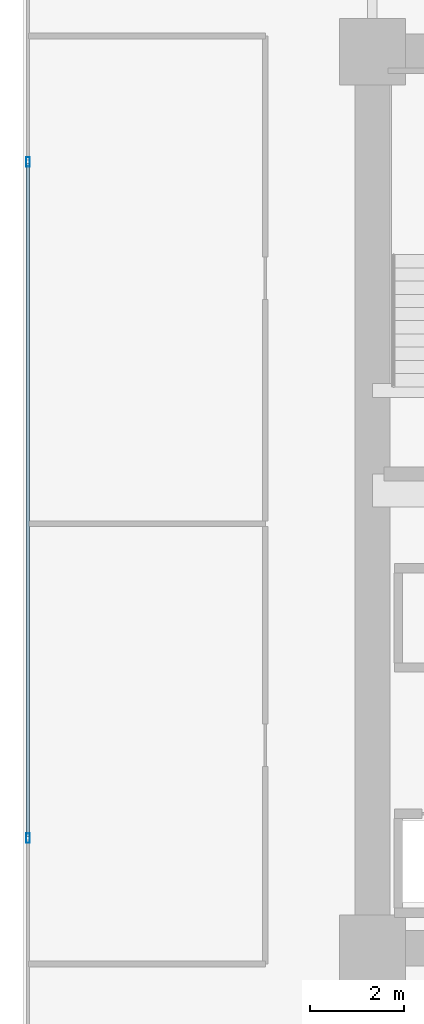
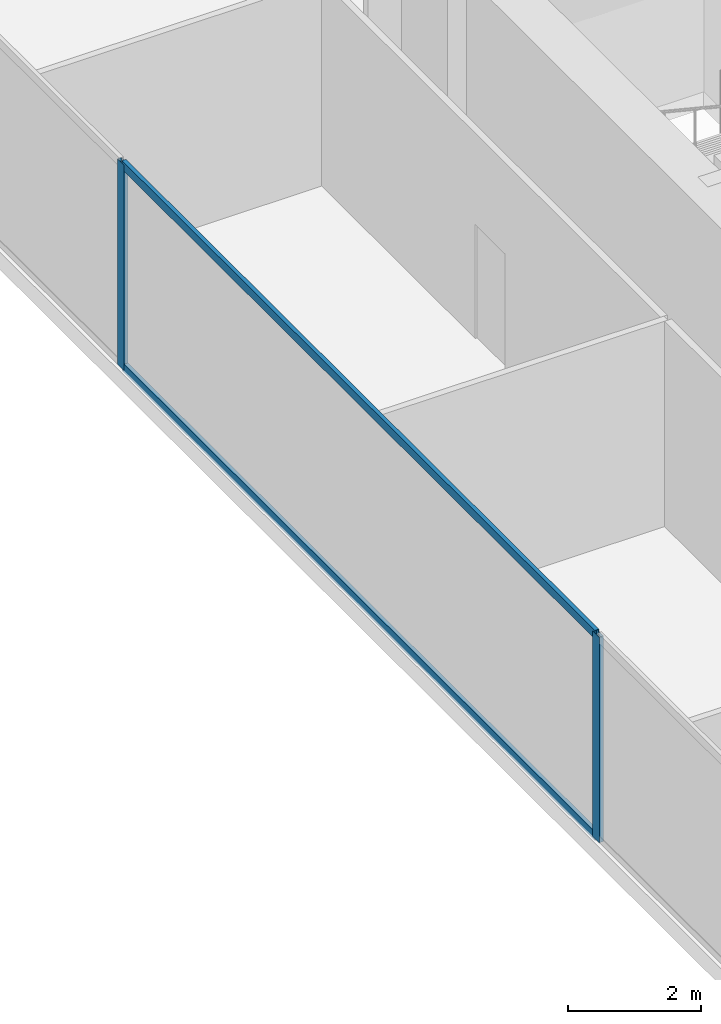
# One storey, part 6 of 35: 4 members, 1 element without a shape of its own.
"""IFC4 building model written with IfcOpenShell, lengths in metres."""

import ifcopenshell
import ifcopenshell.guid

model = None  # the IFC model being written
_history = None  # IfcOwnerHistory: only IFC2X3 demands one
_inside = {}  # id of a spatial element -> (the spatial element, [elements in it])
_under = {}  # id of a project, library or spatial element -> (it, [spatial elements below it])
_declared = {}  # id of a project -> (the project, [libraries it declares])
_typed = {}  # id of a type object -> (the type object, [elements of that type])
_made_of = {}  # id of a material, layer set ... -> (it, [elements and type objects made of it])


def new_model(schema):
    """Start an empty IFC model of exactly this schema.

    Asked for "IFC4X3", IfcOpenShell would pick the latest addendum, in which some entities
    have other attributes; the version numbers below select the first issue.
    IFC2X3 requires an IfcOwnerHistory on every rooted entity: one is made here for all.
    """
    global model, _history
    if schema == "IFC4X3":
        model = ifcopenshell.file(schema_version=(4, 3, 0, 0))
    else:
        model = ifcopenshell.file(schema=schema)
    _inside.clear()
    _under.clear()
    _declared.clear()
    _typed.clear()
    _made_of.clear()
    _history = None
    if model.schema == "IFC2X3":
        org = make("IfcOrganization", Name="unknown")
        user = make(
            "IfcPersonAndOrganization",
            ThePerson=make("IfcPerson", FamilyName="unknown"),
            TheOrganization=org,
        )
        app = make(
            "IfcApplication",
            ApplicationDeveloper=org,
            Version="unknown",
            ApplicationFullName="unknown",
            ApplicationIdentifier="unknown",
        )
        _history = make(
            "IfcOwnerHistory",
            OwningUser=user,
            OwningApplication=app,
            ChangeAction="ADDED",
            CreationDate=0,
        )
    return model


def make(cls, **values):
    """One entity of the class cls with the attributes given. An attribute that is None is left unset."""
    return model.create_entity(
        cls, **{name: value for name, value in values.items() if value is not None}
    )


def rooted(cls, **values):
    """An entity with a GlobalId (a new one), such as an element, a storey or a relation."""
    return make(cls, GlobalId=ifcopenshell.guid.new(), OwnerHistory=_history, **values)


def si_unit(unit_type, name, prefix=None):
    """IfcSIUnit, for example si_unit("LENGTHUNIT", "METRE", prefix="MILLI")."""
    return make("IfcSIUnit", UnitType=unit_type, Prefix=prefix, Name=name)


def assignment(units):
    """IfcUnitAssignment: the units of a project."""
    return None if units is None else make("IfcUnitAssignment", Units=units)


def point(xyz):
    """IfcCartesianPoint."""
    return None if xyz is None else make("IfcCartesianPoint", Coordinates=xyz)


def direction(xyz):
    """IfcDirection."""
    return None if xyz is None else make("IfcDirection", DirectionRatios=xyz)


def frame(location, z_axis=None, x_axis=None):
    """IfcAxis2Placement3D, a coordinate frame: its origin and axes. An axis left out is left unset."""
    return make(
        "IfcAxis2Placement3D",
        Location=point(location),
        Axis=direction(z_axis),
        RefDirection=direction(x_axis),
    )


def frame_2d(location, x_axis=None):
    """IfcAxis2Placement2D, a coordinate frame in the plane: its origin and x axis."""
    return make(
        "IfcAxis2Placement2D", Location=point(location), RefDirection=direction(x_axis)
    )


def origin():
    """The frame at (0, 0, 0) with its axes left unset."""
    return frame((0.0, 0.0, 0.0))


def origin_2d():
    """The frame at (0, 0) in the plane with its x axis left unset."""
    return frame_2d((0.0, 0.0))


def place(relative_to, where):
    """IfcLocalPlacement: puts the frame where relative to a parent placement (None: the world)."""
    return make(
        "IfcLocalPlacement", PlacementRelTo=relative_to, RelativePlacement=where
    )


def context(
    kind, dimensions, precision=None, world=None, true_north=None, identifier=None
):
    """IfcGeometricRepresentationContext, for example the 3D "Model" context."""
    return make(
        "IfcGeometricRepresentationContext",
        ContextIdentifier=identifier,
        ContextType=kind,
        CoordinateSpaceDimension=dimensions,
        Precision=precision,
        WorldCoordinateSystem=world,
        TrueNorth=true_north,
    )


def subcontext(parent, identifier, kind, view, scale=None):
    """IfcGeometricRepresentationSubContext, for example "Body" below "Model"."""
    return make(
        "IfcGeometricRepresentationSubContext",
        ContextIdentifier=identifier,
        ContextType=kind,
        ParentContext=parent,
        TargetScale=scale,
        TargetView=view,
    )


def project(units=None, contexts=None):
    """IfcProject with its units and contexts."""
    return rooted(
        "IfcProject",
        Name="project",
        RepresentationContexts=contexts,
        UnitsInContext=assignment(units),
    )


def spatial(cls, under=None, at=None, **own):
    """A site, building, storey or space (cls), placed at a placement, below another one or the project."""
    s = rooted(cls, ObjectPlacement=at, **own)
    if under is not None:
        _under.setdefault(under.id(), (under, []))[1].append(s)
    return s


def profile(cls, at=None, kind="AREA", **sizes):
    """A parametric profile (cls). Its sizes go by their IFC names, for example OverallWidth=200.0."""
    return make(cls, ProfileType=kind, Position=at, **sizes)


def hollow_rectangle(**sizes):
    """IfcRectangleHollowProfileDef."""
    return profile("IfcRectangleHollowProfileDef", **sizes)


def extrude(swept, where, along, depth):
    """IfcExtrudedAreaSolid: the profile swept, set in the frame where, extruded along a direction by depth."""
    return make(
        "IfcExtrudedAreaSolid",
        SweptArea=swept,
        Position=where,
        ExtrudedDirection=direction(along),
        Depth=depth,
    )


def shape(context_of_items, identifier, shape_type, items):
    """IfcShapeRepresentation: the items that make up one representation, for example the "Body"."""
    return make(
        "IfcShapeRepresentation",
        ContextOfItems=context_of_items,
        RepresentationIdentifier=identifier,
        RepresentationType=shape_type,
        Items=items,
    )


def source(mapping_origin, context_of_items, identifier, shape_type, items):
    """IfcRepresentationMap: a shape defined once, which mapped items show again and again."""
    return make(
        "IfcRepresentationMap",
        MappingOrigin=mapping_origin,
        MappedRepresentation=shape(context_of_items, identifier, shape_type, items),
    )


def transform(
    local_origin,
    x_axis=None,
    y_axis=None,
    z_axis=None,
    scale=None,
    scale2=None,
    scale3=None,
    uniform=True,
):
    """IfcCartesianTransformationOperator3D, or its non-uniform kind. x_axis, y_axis, z_axis: its Axis1, 2, 3."""
    if uniform:
        return make(
            "IfcCartesianTransformationOperator3D",
            Axis1=direction(x_axis),
            Axis2=direction(y_axis),
            LocalOrigin=point(local_origin),
            Scale=scale,
            Axis3=direction(z_axis),
        )
    return make(
        "IfcCartesianTransformationOperator3DnonUniform",
        Axis1=direction(x_axis),
        Axis2=direction(y_axis),
        LocalOrigin=point(local_origin),
        Scale=scale,
        Axis3=direction(z_axis),
        Scale2=scale2,
        Scale3=scale3,
    )


def mapped(mapping_source, mapping_target):
    """IfcMappedItem: shows the shape of a source again, moved by a transform."""
    return make(
        "IfcMappedItem", MappingSource=mapping_source, MappingTarget=mapping_target
    )


def material(Name=None, Category=None):
    """IfcMaterial."""
    return make("IfcMaterial", Name=Name, Category=Category)


def layer(
    of_material, thickness, ventilated=None, Name=None, Category=None, Priority=None
):
    """IfcMaterialLayer: one layer of a wall or slab, of a material (None: an air gap)."""
    return make(
        "IfcMaterialLayer",
        Material=of_material,
        LayerThickness=thickness,
        IsVentilated=ventilated,
        Name=Name,
        Category=Category,
        Priority=Priority,
    )


def layer_set(layers, Name=None):
    """IfcMaterialLayerSet."""
    return make("IfcMaterialLayerSet", MaterialLayers=layers, LayerSetName=Name)


def material_profile(
    of_material, cross_section, Name=None, Category=None, Priority=None
):
    """IfcMaterialProfile: a cross section and its material."""
    return make(
        "IfcMaterialProfile",
        Name=Name,
        Material=of_material,
        Profile=cross_section,
        Priority=Priority,
        Category=Category,
    )


def profile_set(profiles, Name=None, composite=None):
    """IfcMaterialProfileSet."""
    return make(
        "IfcMaterialProfileSet",
        Name=Name,
        MaterialProfiles=profiles,
        CompositeProfile=composite,
    )


def made_of(thing, what):
    """Note that an element or type object is made of a material, layer set ...; save() writes the relation."""
    if what is not None:
        _made_of.setdefault(what.id(), (what, []))[1].append(thing)
    return thing


def type_object(cls, material=None, **own):
    """A type object (cls), such as IfcWallType, which elements share."""
    return made_of(rooted(cls, **own), material)


def type_shapes(of_type, sources):
    """Give a type object the sources (RepresentationMaps) that its elements show as mapped items."""
    of_type.RepresentationMaps = sources


def element(
    cls,
    number,
    at=None,
    inside=None,
    cuts=None,
    type_object=None,
    material=None,
    context=None,
    identifier="Body",
    shape_type=None,
    held_by="IfcProductDefinitionShape",
    body=None,
    shapes=None,
    **own,
):
    """One element of the class cls, such as IfcWall. Its Tag is "e" and its number.

    at: its placement. inside: the storey or other place that contains it. cuts: it is an
    opening in that element (IfcRelVoidsElement). A single representation is given by context,
    identifier, shape_type and body (its items); several are given by shapes. held_by: the class
    of the entity that holds the representations. save() writes the other relations.
    """
    e = rooted(cls, Tag="e%d" % number, ObjectPlacement=at, **own)
    if body is not None:
        shapes = [shape(context, identifier, shape_type, body)]
    if shapes is not None:
        e.Representation = make(held_by, Representations=shapes)
    if inside is not None:
        _inside.setdefault(inside.id(), (inside, []))[1].append(e)
    if cuts is not None:
        rooted(
            "IfcRelVoidsElement", RelatingBuildingElement=cuts, RelatedOpeningElement=e
        )
    if type_object is not None:
        _typed.setdefault(type_object.id(), (type_object, []))[1].append(e)
    return made_of(e, material)


def aggregate(whole, parts):
    """IfcRelAggregates: a whole, such as a stair, and the parts it consists of."""
    return rooted("IfcRelAggregates", RelatingObject=whole, RelatedObjects=parts)


def save(model, path):
    """Write the relations noted so far, then the file.

    IfcRelAggregates (storeys below a building ...), IfcRelContainedInSpatialStructure (elements
    in a storey), IfcRelDefinesByType, IfcRelAssociatesMaterial and IfcRelDeclares: one each for
    every whole, place, type object, material and project.
    """
    for whole, parts in _under.values():
        aggregate(whole, parts)
    for where, things in _inside.values():
        rooted(
            "IfcRelContainedInSpatialStructure",
            RelatedElements=things,
            RelatingStructure=where,
        )
    for kind, things in _typed.values():
        rooted("IfcRelDefinesByType", RelatedObjects=things, RelatingType=kind)
    for what, things in _made_of.values():
        rooted("IfcRelAssociatesMaterial", RelatedObjects=things, RelatingMaterial=what)
    for by, libraries in _declared.values():
        rooted("IfcRelDeclares", RelatingContext=by, RelatedDefinitions=libraries)
    model.write(path)


model = new_model("IFC4")

# Units and contexts
model_context = context("Model", 3, precision=1e-05, world=origin(), true_north=direction((0.0, 1.0)))
body_context = subcontext(model_context, "Body", "Model", "MODEL_VIEW")
ifc_project = project(units=[si_unit("LENGTHUNIT", "METRE"), si_unit("AREAUNIT", "SQUARE_METRE"), si_unit("VOLUMEUNIT", "CUBIC_METRE"), si_unit("PLANEANGLEUNIT", "RADIAN"), si_unit("MASSUNIT", "GRAM", prefix="KILO")], contexts=[model_context])

# Site, building, storey
site_placement = place(None, origin())
site = spatial("IfcSite", under=ifc_project, at=site_placement, CompositionType="ELEMENT")
building_placement = place(site_placement, origin())
building = spatial("IfcBuilding", under=site, at=building_placement, Name="Haelvirn Gate Laboratories", CompositionType="ELEMENT")
storey_placement = place(building_placement, frame((0.0, 0.0, 82.60009765625)))
storey = spatial("IfcBuildingStorey", under=building, at=storey_placement, Name="L20", CompositionType="ELEMENT", Elevation=82.60009765625)

# Curtain wall, members
ifc_material_1 = material(Name="Anodised bronze unitised aluminium & triple low-E glass", Category="aluminium")
ifc_layer = layer(ifc_material_1, 0.18408203125, Name="CW-SYS-2")
ifc_layer_set = layer_set([ifc_layer], Name="Anodised bronze unitised aluminium & triple low-E glass")
curtain_wall_type = type_object("IfcCurtainWallType", Name="CW-SYS-2", PredefinedType="NOTDEFINED", material=ifc_layer_set)
curtain_wall_placement = place(storey_placement, origin())
curtain_wall = element("IfcCurtainWall", 1, at=curtain_wall_placement, inside=storey, type_object=curtain_wall_type, Name="L20 Unitised Curtain Wall CW-L20-P0-E17", PredefinedType="NOTDEFINED")
ifc_material_2 = material(Name="Extruded aluminium 6063-T6 (anodised bronze)", Category="aluminium")
ifc_material_profile_1 = material_profile(ifc_material_2, hollow_rectangle(XDim=0.070068359375, YDim=0.159912109375, WallThickness=0.0048828125, at=origin_2d()), Name="CWT-160x70x5")
ifc_profile_set_1 = profile_set([ifc_material_profile_1], Name="Extruded aluminium 6063-T6 (anodised bronze)")
member_type_1 = type_object("IfcMemberType", Name="CWT-T160", PredefinedType="USERDEFINED", material=ifc_profile_set_1)
shared_shape_1 = source(origin(), body_context, "Body", "SweptSolid", [
    extrude(hollow_rectangle(XDim=0.070068359375, YDim=0.159912109375, WallThickness=0.0048828125, at=origin_2d()), origin(), (0.0, 0.0, 1.0), 14.25830078125),
])
type_shapes(member_type_1, [shared_shape_1])
member_1_placement = place(storey_placement, frame((0.10009765625, 31.42919921875, 0.034912109375), z_axis=(0.0, -1.0, 0.0), x_axis=(1.0, 0.0, 0.0)))
member_1 = element("IfcMember", 2, at=member_1_placement, type_object=member_type_1, Name="CW2 transom 2.1", ObjectType="TRANSOM", PredefinedType="USERDEFINED", context=body_context, shape_type="MappedRepresentation", body=[
    mapped(shared_shape_1, transform((0.0, 0.0, 0.0), scale=1.0)),
])
member_2_placement = place(storey_placement, frame((0.10009765625, 31.42919921875, 3.744873046875), z_axis=(0.0, -1.0, 0.0), x_axis=(1.0, 0.0, 0.0)))
member_2 = element("IfcMember", 3, at=member_2_placement, type_object=member_type_1, Name="CW2 transom 2.2", ObjectType="TRANSOM", PredefinedType="USERDEFINED", context=body_context, shape_type="MappedRepresentation", body=[
    mapped(shared_shape_1, transform((0.0, 0.0, 0.0), scale=1.0)),
])
ifc_material_profile_2 = material_profile(ifc_material_2, hollow_rectangle(XDim=0.074951171875, YDim=0.199951171875, WallThickness=0.0048828125, at=origin_2d()), Name="CWM-200x75x5")
ifc_profile_set_2 = profile_set([ifc_material_profile_2], Name="Extruded aluminium 6063-T6 (anodised bronze)")
member_type_2 = type_object("IfcMemberType", Name="CWM-T200", PredefinedType="MULLION", material=ifc_profile_set_2)
shared_shape_2 = source(origin(), body_context, "Body", "SweptSolid", [
    extrude(hollow_rectangle(XDim=0.074951171875, YDim=0.199951171875, WallThickness=0.0048828125, at=origin_2d()), origin(), (0.0, 0.0, 1.0), 3.77978515625),
])
type_shapes(member_type_2, [shared_shape_2])
member_3_placement = place(storey_placement, frame((0.10009765625, 31.466552734375, 0.0), z_axis=(0.0, 0.0, 1.0), x_axis=(1.0, 0.0, 0.0)))
member_3 = element("IfcMember", 4, at=member_3_placement, type_object=member_type_2, Name="CW2 mullion 2", PredefinedType="MULLION", context=body_context, shape_type="MappedRepresentation", body=[
    mapped(shared_shape_2, transform((0.0, 0.0, 0.0), scale=1.0)),
])
member_4_placement = place(storey_placement, frame((0.10009765625, 17.13330078125, 0.0), z_axis=(0.0, 0.0, 1.0), x_axis=(1.0, 0.0, 0.0)))
member_4 = element("IfcMember", 5, at=member_4_placement, type_object=member_type_2, Name="CW2 mullion 3", PredefinedType="MULLION", context=body_context, shape_type="MappedRepresentation", body=[
    mapped(shared_shape_2, transform((0.0, 0.0, 0.0), scale=1.0)),
])
aggregate(curtain_wall, [member_3, member_4, member_1, member_2])

save(model, "model.ifc")
